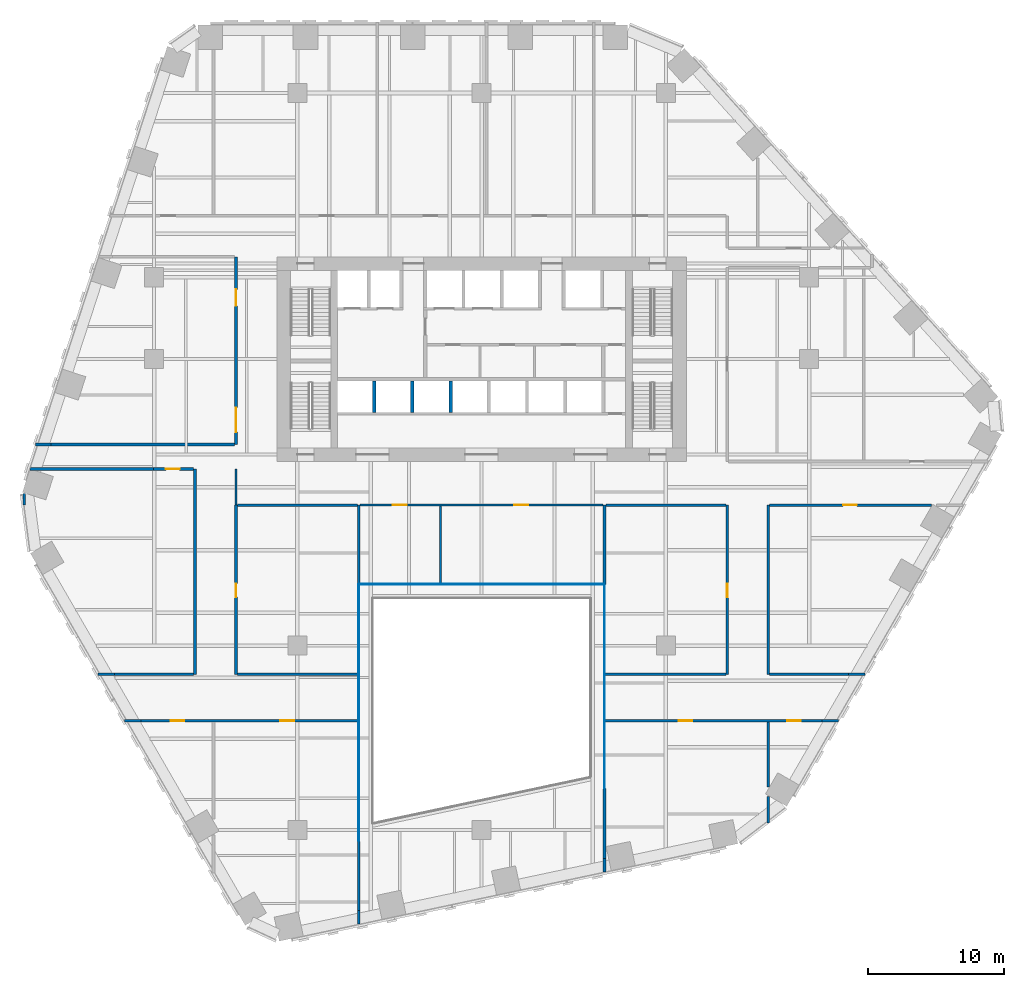
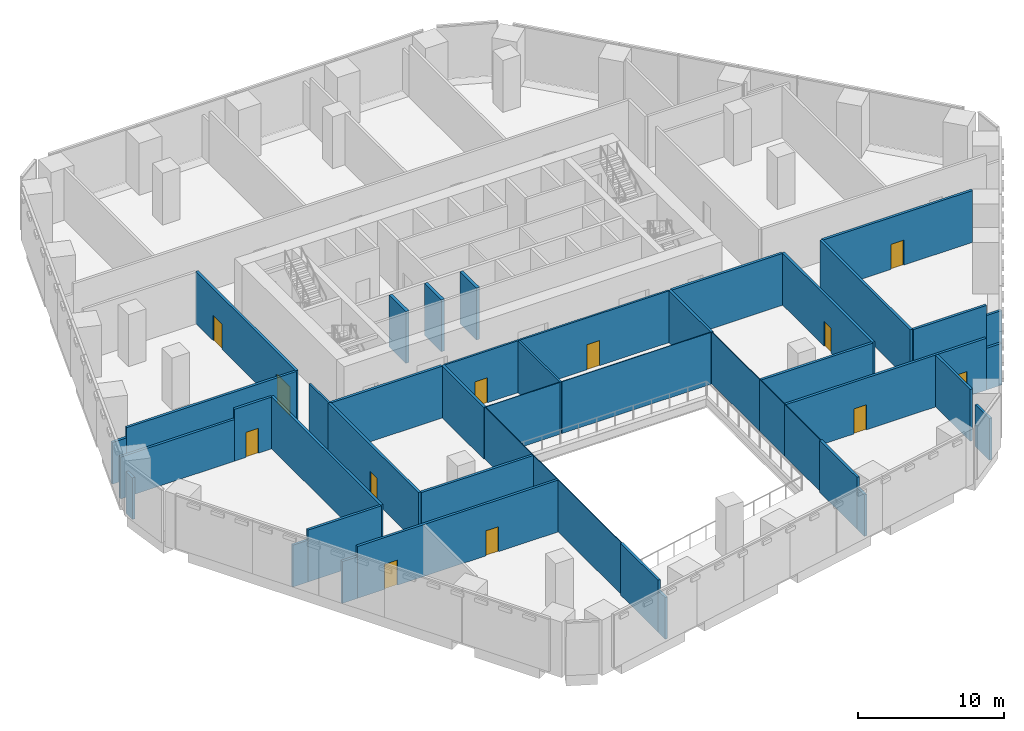
# One storey, part 14 of 19: 45 walls, 12 doors, 12 openings.
"""IFC4 building model written with IfcOpenShell, lengths in metres."""

from ifc_helpers import new_model, si_unit, direction, frame, frame_2d, origin, place, context, subcontext, project, spatial, rectangle, extrude, material, layer, layer_set, type_object, element, fill, save


model = new_model("IFC4")

# Units and contexts
model_context = context("Model", 3, precision=1e-05, world=origin(), true_north=direction((0.0, 1.0)))
body_context = subcontext(model_context, "Body", "Model", "MODEL_VIEW")
ifc_project = project(units=[si_unit("LENGTHUNIT", "METRE"), si_unit("AREAUNIT", "SQUARE_METRE"), si_unit("VOLUMEUNIT", "CUBIC_METRE"), si_unit("PLANEANGLEUNIT", "RADIAN"), si_unit("MASSUNIT", "GRAM", prefix="KILO")], contexts=[model_context])

# Site, building, storey
site_placement = place(None, origin())
site = spatial("IfcSite", under=ifc_project, at=site_placement, CompositionType="ELEMENT")
building_placement = place(site_placement, origin())
building = spatial("IfcBuilding", under=site, at=building_placement, Name="Isthmus Gate Tower", CompositionType="ELEMENT")
storey_placement = place(building_placement, frame((0.0, 0.0, 76.14990234375)))
storey = spatial("IfcBuildingStorey", under=building, at=storey_placement, Name="L17", CompositionType="ELEMENT", Elevation=76.14990234375)

# Wall
ifc_material_1 = material(Name="Concrete f'c 30 MPa", Category="concrete")
ifc_layer_1 = layer(ifc_material_1, 0.199951171875)
ifc_layer_set_1 = layer_set([ifc_layer_1], Name="Fire-rated block wall 200")
wall_type_1 = type_object("IfcWallType", Name="Fire-rated block wall 200", PredefinedType="PARTITIONING", material=ifc_layer_set_1)
wall_1_placement = place(storey_placement, frame((-26.15087890625, -19.0, 0.0), z_axis=(0.0, 0.0, 1.0), x_axis=(1.0, 0.0, 0.0)))
element("IfcWall", 1, at=wall_1_placement, inside=storey, type_object=wall_type_1, Name="Fire-rated wall", PredefinedType="PARTITIONING", context=body_context, shape_type="SweptSolid", body=[
    extrude(rectangle(XDim=1.20947265625, YDim=0.199951171875, at=frame_2d((0.604736328125, 0.0))), origin(), (0.0, 0.0, 1.0), 3.5),
])

# Wall, openings, doors
wall_2_placement = place(storey_placement, frame((-24.94140625, -19.0, 0.0), z_axis=(0.0, 0.0, 1.0), x_axis=(1.0, 0.0, 0.0)))
wall_2 = element("IfcWall", 2, at=wall_2_placement, inside=storey, type_object=wall_type_1, Name="Fire-rated wall", PredefinedType="PARTITIONING", context=body_context, shape_type="SweptSolid", body=[
    extrude(rectangle(XDim=15.911376953125, YDim=0.199951171875, at=frame_2d((7.95556640625, 0.0))), origin(), (0.0, 0.0, 1.0), 4.35009765625),
])
opening_1_placement = place(wall_2_placement, frame((2.14990234375, 0.0, 0.0)))
opening_1 = element("IfcOpeningElement", 3, at=opening_1_placement, cuts=wall_2, Name="Opening DP17-15", PredefinedType="OPENING", context=body_context, shape_type="SweptSolid", body=[
    extrude(rectangle(XDim=1.0, YDim=2.10009765625, at=frame_2d((0.5, 1.050048828125))), frame((0.0, 0.10986328125, 0.0), z_axis=(0.0, -1.0, 0.0), x_axis=(1.0, 0.0, 0.0)), (0.0, 0.0, 1.0), 0.219970703125),
])
opening_2_placement = place(wall_2_placement, frame((10.1953125, 0.0, 0.0)))
opening_2 = element("IfcOpeningElement", 4, at=opening_2_placement, cuts=wall_2, Name="Opening DP17-16", PredefinedType="OPENING", context=body_context, shape_type="SweptSolid", body=[
    extrude(rectangle(XDim=1.0, YDim=2.10009765625, at=frame_2d((0.5, 1.050048828125))), frame((0.0, 0.10986328125, 0.0), z_axis=(0.0, -1.0, 0.0), x_axis=(1.0, 0.0, 0.0)), (0.0, 0.0, 1.0), 0.219970703125),
])
ifc_material_2 = material(Name="Steel fire door with intumescent seals", Category="steel")
door_type_1 = type_object("IfcDoorType", Name="Fire door 1000 x 2100", OperationType="SINGLE_SWING_LEFT", PredefinedType="DOOR", material=ifc_material_2)
door_1_placement = place(opening_1_placement, origin())
door_1 = element("IfcDoor", 5, at=door_1_placement, inside=storey, type_object=door_type_1, Name="Door DP17-15", OperationType="SINGLE_SWING_LEFT", OverallHeight=2.10009765625, OverallWidth=1.0, PredefinedType="DOOR", context=body_context, shape_type="SweptSolid", body=[
    extrude(rectangle(XDim=1.0, YDim=2.10009765625, at=frame_2d((0.5, 1.050048828125))), frame((0.0, 0.02490234375, 0.0), z_axis=(0.0, -1.0, 0.0), x_axis=(1.0, 0.0, 0.0)), (0.0, 0.0, 1.0), 0.050048828125),
])
fill(opening_1, door_1)
door_2_placement = place(opening_2_placement, origin())
door_2 = element("IfcDoor", 6, at=door_2_placement, inside=storey, type_object=door_type_1, Name="Door DP17-16", OperationType="SINGLE_SWING_LEFT", OverallHeight=2.10009765625, OverallWidth=1.0, PredefinedType="DOOR", context=body_context, shape_type="SweptSolid", body=[
    extrude(rectangle(XDim=1.0, YDim=2.10009765625, at=frame_2d((0.5, 1.050048828125))), frame((0.0, 0.02490234375, 0.0), z_axis=(0.0, -1.0, 0.0), x_axis=(1.0, 0.0, 0.0)), (0.0, 0.0, 1.0), 0.050048828125),
])
fill(opening_2, door_2)

wall_3_placement = place(storey_placement, frame((9.030029296875, -19.0, 0.0), z_axis=(0.0, 0.0, 1.0), x_axis=(1.0, 0.0, 0.0)))
wall_3 = element("IfcWall", 7, at=wall_3_placement, inside=storey, type_object=wall_type_1, Name="Fire-rated wall", PredefinedType="PARTITIONING", context=body_context, shape_type="SweptSolid", body=[
    extrude(rectangle(XDim=15.911376953125, YDim=0.199951171875, at=frame_2d((7.95556640625, 0.0))), origin(), (0.0, 0.0, 1.0), 4.35009765625),
])
opening_3_placement = place(wall_3_placement, frame((5.39990234375, 0.0, 0.0)))
opening_3 = element("IfcOpeningElement", 8, at=opening_3_placement, cuts=wall_3, Name="Opening DP17-19", PredefinedType="OPENING", context=body_context, shape_type="SweptSolid", body=[
    extrude(rectangle(XDim=1.0, YDim=2.10009765625, at=frame_2d((0.5, 1.050048828125))), frame((0.0, 0.10986328125, 0.0), z_axis=(0.0, -1.0, 0.0), x_axis=(1.0, 0.0, 0.0)), (0.0, 0.0, 1.0), 0.219970703125),
])
opening_4_placement = place(wall_3_placement, frame((13.3701171875, 0.0, 0.0)))
opening_4 = element("IfcOpeningElement", 9, at=opening_4_placement, cuts=wall_3, Name="Opening DP17-20", PredefinedType="OPENING", context=body_context, shape_type="SweptSolid", body=[
    extrude(rectangle(XDim=1.0, YDim=2.10009765625, at=frame_2d((0.5, 1.050048828125))), frame((0.0, 0.10986328125, 0.0), z_axis=(0.0, -1.0, 0.0), x_axis=(1.0, 0.0, 0.0)), (0.0, 0.0, 1.0), 0.219970703125),
])
door_3_placement = place(opening_3_placement, origin())
door_3 = element("IfcDoor", 10, at=door_3_placement, inside=storey, type_object=door_type_1, Name="Door DP17-19", OperationType="SINGLE_SWING_LEFT", OverallHeight=2.10009765625, OverallWidth=1.0, PredefinedType="DOOR", context=body_context, shape_type="SweptSolid", body=[
    extrude(rectangle(XDim=1.0, YDim=2.10009765625, at=frame_2d((0.5, 1.050048828125))), frame((0.0, 0.02490234375, 0.0), z_axis=(0.0, -1.0, 0.0), x_axis=(1.0, 0.0, 0.0)), (0.0, 0.0, 1.0), 0.050048828125),
])
fill(opening_3, door_3)
door_4_placement = place(opening_4_placement, origin())
door_4 = element("IfcDoor", 11, at=door_4_placement, inside=storey, type_object=door_type_1, Name="Door DP17-20", OperationType="SINGLE_SWING_LEFT", OverallHeight=2.10009765625, OverallWidth=1.0, PredefinedType="DOOR", context=body_context, shape_type="SweptSolid", body=[
    extrude(rectangle(XDim=1.0, YDim=2.10009765625, at=frame_2d((0.5, 1.050048828125))), frame((0.0, 0.02490234375, 0.0), z_axis=(0.0, -1.0, 0.0), x_axis=(1.0, 0.0, 0.0)), (0.0, 0.0, 1.0), 0.050048828125),
])
fill(opening_4, door_4)

# Walls
wall_4_placement = place(storey_placement, frame((24.94140625, -19.0, 0.0), z_axis=(0.0, 0.0, 1.0), x_axis=(1.0, 0.0, 0.0)))
element("IfcWall", 12, at=wall_4_placement, inside=storey, type_object=wall_type_1, Name="Fire-rated wall", PredefinedType="PARTITIONING", context=body_context, shape_type="SweptSolid", body=[
    extrude(rectangle(XDim=1.20947265625, YDim=0.199951171875, at=frame_2d((0.604736328125, 0.0))), origin(), (0.0, 0.0, 1.0), 3.5),
])
wall_5_placement = place(storey_placement, frame((-28.11376953125, -15.60009765625, 0.0), z_axis=(0.0, 0.0, 1.0), x_axis=(1.0, 0.0, 0.0)))
element("IfcWall", 13, at=wall_5_placement, inside=storey, type_object=wall_type_1, Name="Fire-rated wall", PredefinedType="PARTITIONING", context=body_context, shape_type="SweptSolid", body=[
    extrude(rectangle(XDim=1.209228515625, YDim=0.199951171875, at=frame_2d((0.6044921875, 0.0))), origin(), (0.0, 0.0, 1.0), 3.5),
])
wall_6_placement = place(storey_placement, frame((-26.904541015625, -15.60009765625, 0.0), z_axis=(0.0, 0.0, 1.0), x_axis=(1.0, 0.0, 0.0)))
element("IfcWall", 14, at=wall_6_placement, inside=storey, type_object=wall_type_1, Name="Fire-rated wall", PredefinedType="PARTITIONING", context=body_context, shape_type="SweptSolid", body=[
    extrude(rectangle(XDim=5.804443359375, YDim=0.199951171875, at=frame_2d((2.90234375, 0.0))), origin(), (0.0, 0.0, 1.0), 4.35009765625),
])
for number, where, z_axis, x_axis, name in (
    (15, (-17.89990234375, -15.60009765625, 0.0), (0.0, 0.0, 1.0), (1.0, 0.0, 0.0), "Fire-rated wall"),
    (16, (9.030029296875, -15.60009765625, 0.0), (0.0, 0.0, 1.0), (1.0, 0.0, 0.0), "Fire-rated wall"),
):
    element("IfcWall", number, at=place(storey_placement, frame(where, z_axis=z_axis, x_axis=x_axis)), inside=storey, type_object=wall_type_1, Name=name, PredefinedType="PARTITIONING", context=body_context, shape_type="SweptSolid", body=[
        extrude(rectangle(XDim=8.869873046875, YDim=0.199951171875, at=frame_2d((4.43505859375, 0.0))), origin(), (0.0, 0.0, 1.0), 4.35009765625),
    ])
wall_7_placement = place(storey_placement, frame((21.10009765625, -15.60009765625, 0.0), z_axis=(0.0, 0.0, 1.0), x_axis=(1.0, 0.0, 0.0)))
element("IfcWall", 17, at=wall_7_placement, inside=storey, type_object=wall_type_1, Name="Fire-rated wall", PredefinedType="PARTITIONING", context=body_context, shape_type="SweptSolid", body=[
    extrude(rectangle(XDim=5.804443359375, YDim=0.199951171875, at=frame_2d((2.90234375, 0.0))), origin(), (0.0, 0.0, 1.0), 4.35009765625),
])
wall_8_placement = place(storey_placement, frame((26.904541015625, -15.60009765625, 0.0), z_axis=(0.0, 0.0, 1.0), x_axis=(1.0, 0.0, 0.0)))
element("IfcWall", 18, at=wall_8_placement, inside=storey, type_object=wall_type_1, Name="Fire-rated wall", PredefinedType="PARTITIONING", context=body_context, shape_type="SweptSolid", body=[
    extrude(rectangle(XDim=1.209228515625, YDim=0.199951171875, at=frame_2d((0.6044921875, 0.0))), origin(), (0.0, 0.0, 1.0), 3.5),
])
for number, where, z_axis, x_axis, name in (
    (19, (-17.89990234375, -3.199951171875, 0.0), (0.0, 0.0, 1.0), (1.0, 0.0, 0.0), "Fire-rated wall"),
    (20, (9.10009765625, -3.199951171875, 0.0), (0.0, 0.0, 1.0), (1.0, 0.0, 0.0), "Fire-rated wall"),
):
    element("IfcWall", number, at=place(storey_placement, frame(where, z_axis=z_axis, x_axis=x_axis)), inside=storey, type_object=wall_type_1, Name=name, PredefinedType="PARTITIONING", context=body_context, shape_type="SweptSolid", body=[
        extrude(rectangle(XDim=8.7998046875, YDim=0.199951171875, at=frame_2d((4.39990234375, 0.0))), origin(), (0.0, 0.0, 1.0), 4.35009765625),
    ])

# Wall, opening, door
wall_9_placement = place(storey_placement, frame((21.10009765625, -3.199951171875, 0.0), z_axis=(0.0, 0.0, 1.0), x_axis=(1.0, 0.0, 0.0)))
wall_9 = element("IfcWall", 21, at=wall_9_placement, inside=storey, type_object=wall_type_1, Name="Fire-rated wall", PredefinedType="PARTITIONING", context=body_context, shape_type="SweptSolid", body=[
    extrude(rectangle(XDim=11.86669921875, YDim=0.199951171875, at=frame_2d((5.933349609375, 0.0))), origin(), (0.0, 0.0, 1.0), 4.35009765625),
])
opening_5_placement = place(wall_9_placement, frame((5.39990234375, 0.0, 0.0)))
opening_5 = element("IfcOpeningElement", 22, at=opening_5_placement, cuts=wall_9, Name="Opening DP17-18", PredefinedType="OPENING", context=body_context, shape_type="SweptSolid", body=[
    extrude(rectangle(XDim=1.0, YDim=2.10009765625, at=frame_2d((0.5, 1.050048828125))), frame((0.0, 0.10986328125, 0.0), z_axis=(0.0, -1.0, 0.0), x_axis=(1.0, 0.0, 0.0)), (0.0, 0.0, 1.0), 0.219970703125),
])
door_5_placement = place(opening_5_placement, origin())
door_5 = element("IfcDoor", 23, at=door_5_placement, inside=storey, type_object=door_type_1, Name="Door DP17-18", OperationType="SINGLE_SWING_LEFT", OverallHeight=2.10009765625, OverallWidth=1.0, PredefinedType="DOOR", context=body_context, shape_type="SweptSolid", body=[
    extrude(rectangle(XDim=1.0, YDim=2.10009765625, at=frame_2d((0.5, 1.050048828125))), frame((0.0, 0.02490234375, 0.0), z_axis=(0.0, -1.0, 0.0), x_axis=(1.0, 0.0, 0.0)), (0.0, 0.0, 1.0), 0.050048828125),
])
fill(opening_5, door_5)

# Wall
wall_10_placement = place(storey_placement, frame((-33.08984375, -0.549072265625, 0.0), z_axis=(0.0, 0.0, 1.0), x_axis=(1.0, 0.0, 0.0)))
element("IfcWall", 24, at=wall_10_placement, inside=storey, type_object=wall_type_1, Name="Fire-rated wall", PredefinedType="PARTITIONING", context=body_context, shape_type="SweptSolid", body=[
    extrude(rectangle(XDim=9.056640625, YDim=0.199951171875, at=frame_2d((4.5283203125, 0.0))), origin(), (0.0, 0.0, 1.0), 3.5),
])

# Wall, opening, door
wall_11_placement = place(storey_placement, frame((-24.033203125, -0.549072265625, 0.0), z_axis=(0.0, 0.0, 1.0), x_axis=(1.0, 0.0, 0.0)))
wall_11 = element("IfcWall", 25, at=wall_11_placement, inside=storey, type_object=wall_type_1, Name="Fire-rated wall", PredefinedType="PARTITIONING", context=body_context, shape_type="SweptSolid", body=[
    extrude(rectangle(XDim=2.93310546875, YDim=0.199951171875, at=frame_2d((1.466552734375, 0.0))), origin(), (0.0, 0.0, 1.0), 4.35009765625),
])
opening_6_placement = place(wall_11_placement, frame((0.89990234375, 0.0, 0.0)))
opening_6 = element("IfcOpeningElement", 26, at=opening_6_placement, cuts=wall_11, Name="Opening DP17-13", PredefinedType="OPENING", context=body_context, shape_type="SweptSolid", body=[
    extrude(rectangle(XDim=1.0, YDim=2.10009765625, at=frame_2d((0.5, 1.050048828125))), frame((0.0, 0.10986328125, 0.0), z_axis=(0.0, -1.0, 0.0), x_axis=(1.0, 0.0, 0.0)), (0.0, 0.0, 1.0), 0.219970703125),
])
door_6_placement = place(opening_6_placement, origin())
door_6 = element("IfcDoor", 27, at=door_6_placement, inside=storey, type_object=door_type_1, Name="Door DP17-13", OperationType="SINGLE_SWING_LEFT", OverallHeight=2.10009765625, OverallWidth=1.0, PredefinedType="DOOR", context=body_context, shape_type="SweptSolid", body=[
    extrude(rectangle(XDim=1.0, YDim=2.10009765625, at=frame_2d((0.5, 1.050048828125))), frame((0.0, 0.02490234375, 0.0), z_axis=(0.0, -1.0, 0.0), x_axis=(1.0, 0.0, 0.0)), (0.0, 0.0, 1.0), 0.050048828125),
])
fill(opening_6, door_6)

# Walls
wall_12_placement = place(storey_placement, frame((-32.675048828125, 1.2509765625, 0.0), z_axis=(0.0, 0.0, 1.0), x_axis=(1.0, 0.0, 0.0)))
element("IfcWall", 28, at=wall_12_placement, inside=storey, type_object=wall_type_1, Name="Fire-rated wall", PredefinedType="PARTITIONING", context=body_context, shape_type="SweptSolid", body=[
    extrude(rectangle(XDim=1.116455078125, YDim=0.199951171875, at=frame_2d((0.55810546875, 0.0))), origin(), (0.0, 0.0, 1.0), 3.5),
])
wall_13_placement = place(storey_placement, frame((-31.55859375, 1.2509765625, 0.0), z_axis=(0.0, 0.0, 1.0), x_axis=(1.0, 0.0, 0.0)))
element("IfcWall", 29, at=wall_13_placement, inside=storey, type_object=wall_type_1, Name="Fire-rated wall", PredefinedType="PARTITIONING", context=body_context, shape_type="SweptSolid", body=[
    extrude(rectangle(XDim=13.45849609375, YDim=0.199951171875, at=frame_2d((6.729248046875, 0.0))), origin(), (0.0, 0.0, 1.0), 4.35009765625),
])
wall_14_placement = place(storey_placement, frame((-33.52392578125, -3.198486328125, 0.0), z_axis=(0.0, 0.0, 1.0), x_axis=(0.0, 1.0, 0.0)))
element("IfcWall", 30, at=wall_14_placement, inside=storey, type_object=wall_type_1, Name="Fire-rated wall", PredefinedType="PARTITIONING", context=body_context, shape_type="SweptSolid", body=[
    extrude(rectangle(XDim=0.865478515625, YDim=0.199951171875, at=frame_2d((0.4326171875, 0.0))), origin(), (0.0, 0.0, 1.0), 3.5),
])
wall_15_placement = place(storey_placement, frame((-21.0, -15.60009765625, 0.0), z_axis=(0.0, 0.0, 1.0), x_axis=(0.0, 1.0, 0.0)))
element("IfcWall", 31, at=wall_15_placement, inside=storey, type_object=wall_type_1, Name="Fire-rated wall", PredefinedType="PARTITIONING", context=body_context, shape_type="SweptSolid", body=[
    extrude(rectangle(XDim=15.05126953125, YDim=0.199951171875, at=frame_2d((7.525634765625, 0.0))), origin(), (0.0, 0.0, 1.0), 4.35009765625),
])

# Wall, opening, door
wall_16_placement = place(storey_placement, frame((-18.0, -15.60009765625, 0.0), z_axis=(0.0, 0.0, 1.0), x_axis=(0.0, 1.0, 0.0)))
wall_16 = element("IfcWall", 32, at=wall_16_placement, inside=storey, type_object=wall_type_1, Name="Fire-rated wall", PredefinedType="PARTITIONING", context=body_context, shape_type="SweptSolid", body=[
    extrude(rectangle(XDim=12.400146484375, YDim=0.199951171875, at=frame_2d((6.2001953125, 0.0))), origin(), (0.0, 0.0, 1.0), 4.35009765625),
])
opening_7_placement = place(wall_16_placement, frame((5.64990234375, 0.0, 0.0)))
opening_7 = element("IfcOpeningElement", 33, at=opening_7_placement, cuts=wall_16, Name="Opening DP17-14", PredefinedType="OPENING", context=body_context, shape_type="SweptSolid", body=[
    extrude(rectangle(XDim=1.0, YDim=2.10009765625, at=frame_2d((0.5, 1.050048828125))), frame((0.0, 0.10986328125, 0.0), z_axis=(0.0, -1.0, 0.0), x_axis=(1.0, 0.0, 0.0)), (0.0, 0.0, 1.0), 0.219970703125),
])
door_7_placement = place(opening_7_placement, origin())
door_7 = element("IfcDoor", 34, at=door_7_placement, inside=storey, type_object=door_type_1, Name="Door DP17-14", OperationType="SINGLE_SWING_LEFT", OverallHeight=2.10009765625, OverallWidth=1.0, PredefinedType="DOOR", context=body_context, shape_type="SweptSolid", body=[
    extrude(rectangle(XDim=1.0, YDim=2.10009765625, at=frame_2d((0.5, 1.050048828125))), frame((0.0, 0.02490234375, 0.0), z_axis=(0.0, -1.0, 0.0), x_axis=(1.0, 0.0, 0.0)), (0.0, 0.0, 1.0), 0.050048828125),
])
fill(opening_7, door_7)

# Wall, openings, doors
wall_17_placement = place(storey_placement, frame((-18.0, 1.251220703125, 0.0), z_axis=(0.0, 0.0, 1.0), x_axis=(0.0, 1.0, 0.0)))
wall_17 = element("IfcWall", 35, at=wall_17_placement, inside=storey, type_object=wall_type_1, Name="Fire-rated wall", PredefinedType="PARTITIONING", context=body_context, shape_type="SweptSolid", body=[
    extrude(rectangle(XDim=13.748779296875, YDim=0.199951171875, at=frame_2d((6.87451171875, 0.0))), origin(), (0.0, 0.0, 1.0), 4.35009765625),
])
opening_8_placement = place(wall_17_placement, frame((0.89990234375, 0.0, 0.0)))
opening_8 = element("IfcOpeningElement", 36, at=opening_8_placement, cuts=wall_17, Name="Opening DP17-01", PredefinedType="OPENING", context=body_context, shape_type="SweptSolid", body=[
    extrude(rectangle(XDim=1.800048828125, YDim=2.39990234375, at=frame_2d((0.89990234375, 1.199951171875))), frame((0.0, 0.10986328125, 0.0), z_axis=(0.0, -1.0, 0.0), x_axis=(1.0, 0.0, 0.0)), (0.0, 0.0, 1.0), 0.219970703125),
])
opening_9_placement = place(wall_17_placement, frame((10.14990234375, 0.0, 0.0)))
opening_9 = element("IfcOpeningElement", 37, at=opening_9_placement, cuts=wall_17, Name="Opening DP17-02", PredefinedType="OPENING", context=body_context, shape_type="SweptSolid", body=[
    extrude(rectangle(XDim=1.199951171875, YDim=2.10009765625, at=frame_2d((0.60009765625, 1.050048828125))), frame((0.0, 0.10986328125, 0.0), z_axis=(0.0, -1.0, 0.0), x_axis=(1.0, 0.0, 0.0)), (0.0, 0.0, 1.0), 0.219970703125),
])
ifc_material_3 = material(Name="Steel fire door with intumescent seals", Category="steel")
door_type_2 = type_object("IfcDoorType", Name="Fire door 1200 x 2100", OperationType="SINGLE_SWING_LEFT", PredefinedType="DOOR", material=ifc_material_3)
door_8_placement = place(opening_9_placement, origin())
door_8 = element("IfcDoor", 38, at=door_8_placement, inside=storey, type_object=door_type_2, Name="Door DP17-02", OperationType="SINGLE_SWING_LEFT", OverallHeight=2.10009765625, OverallWidth=1.199951171875, PredefinedType="DOOR", context=body_context, shape_type="SweptSolid", body=[
    extrude(rectangle(XDim=1.199951171875, YDim=2.10009765625, at=frame_2d((0.60009765625, 1.050048828125))), frame((0.0, 0.02490234375, 0.0), z_axis=(0.0, -1.0, 0.0), x_axis=(1.0, 0.0, 0.0)), (0.0, 0.0, 1.0), 0.050048828125),
])
fill(opening_9, door_8)
ifc_material_4 = material(Name="Steel fire door with intumescent seals", Category="steel")
door_type_3 = type_object("IfcDoorType", Name="Fire door 1800 x 2400", OperationType="SINGLE_SWING_LEFT", PredefinedType="DOOR", material=ifc_material_4)
door_9_placement = place(opening_8_placement, origin())
door_9 = element("IfcDoor", 39, at=door_9_placement, inside=storey, type_object=door_type_3, Name="Door DP17-01", OperationType="SINGLE_SWING_LEFT", OverallHeight=2.39990234375, OverallWidth=1.800048828125, PredefinedType="DOOR", context=body_context, shape_type="SweptSolid", body=[
    extrude(rectangle(XDim=1.800048828125, YDim=2.39990234375, at=frame_2d((0.89990234375, 1.199951171875))), frame((0.0, 0.02490234375, 0.0), z_axis=(0.0, -1.0, 0.0), x_axis=(1.0, 0.0, 0.0)), (0.0, 0.0, 1.0), 0.050048828125),
])
fill(opening_8, door_9)

# Walls
wall_18_placement = place(storey_placement, frame((-9.0, -33.9130859375, 0.0), z_axis=(0.0, 0.0, 1.0), x_axis=(0.0, 1.0, 0.0)))
element("IfcWall", 40, at=wall_18_placement, inside=storey, type_object=wall_type_1, Name="Fire-rated wall", PredefinedType="PARTITIONING", context=body_context, shape_type="SweptSolid", body=[
    extrude(rectangle(XDim=1.0, YDim=0.199951171875, at=frame_2d((0.5, 0.0))), origin(), (0.0, 0.0, 1.0), 3.5),
])
wall_19_placement = place(storey_placement, frame((-9.0, -32.9130859375, 0.0), z_axis=(0.0, 0.0, 1.0), x_axis=(0.0, 1.0, 0.0)))
element("IfcWall", 41, at=wall_19_placement, inside=storey, type_object=wall_type_1, Name="Fire-rated wall", PredefinedType="PARTITIONING", context=body_context, shape_type="SweptSolid", body=[
    extrude(rectangle(XDim=5.134033203125, YDim=0.199951171875, at=frame_2d((2.56689453125, 0.0))), origin(), (0.0, 0.0, 1.0), 4.35009765625),
])
wall_20_placement = place(storey_placement, frame((-9.0, -9.0, 0.0), z_axis=(0.0, 0.0, 1.0), x_axis=(0.0, 1.0, 0.0)))
element("IfcWall", 42, at=wall_20_placement, inside=storey, type_object=wall_type_1, Name="Fire-rated wall", PredefinedType="PARTITIONING", context=body_context, shape_type="SweptSolid", body=[
    extrude(rectangle(XDim=5.800048828125, YDim=0.199951171875, at=frame_2d((2.89990234375, 0.0))), origin(), (0.0, 0.0, 1.0), 4.35009765625),
])
wall_21_placement = place(storey_placement, frame((9.0, -30.0869140625, 0.0), z_axis=(0.0, 0.0, 1.0), x_axis=(0.0, 1.0, 0.0)))
element("IfcWall", 43, at=wall_21_placement, inside=storey, type_object=wall_type_1, Name="Fire-rated wall", PredefinedType="PARTITIONING", context=body_context, shape_type="SweptSolid", body=[
    extrude(rectangle(XDim=1.0, YDim=0.199951171875, at=frame_2d((0.5, 0.0))), origin(), (0.0, 0.0, 1.0), 3.5),
])
wall_22_placement = place(storey_placement, frame((9.0, -29.0869140625, 0.0), z_axis=(0.0, 0.0, 1.0), x_axis=(0.0, 1.0, 0.0)))
element("IfcWall", 44, at=wall_22_placement, inside=storey, type_object=wall_type_1, Name="Fire-rated wall", PredefinedType="PARTITIONING", context=body_context, shape_type="SweptSolid", body=[
    extrude(rectangle(XDim=5.134033203125, YDim=0.199951171875, at=frame_2d((2.56689453125, 0.0))), origin(), (0.0, 0.0, 1.0), 4.35009765625),
])
wall_23_placement = place(storey_placement, frame((9.0, -9.0, 0.0), z_axis=(0.0, 0.0, 1.0), x_axis=(0.0, 1.0, 0.0)))
element("IfcWall", 45, at=wall_23_placement, inside=storey, type_object=wall_type_1, Name="Fire-rated wall", PredefinedType="PARTITIONING", context=body_context, shape_type="SweptSolid", body=[
    extrude(rectangle(XDim=5.800048828125, YDim=0.199951171875, at=frame_2d((2.89990234375, 0.0))), origin(), (0.0, 0.0, 1.0), 4.35009765625),
])

# Wall, opening, door
wall_24_placement = place(storey_placement, frame((18.0, -15.60009765625, 0.0), z_axis=(0.0, 0.0, 1.0), x_axis=(0.0, 1.0, 0.0)))
wall_24 = element("IfcWall", 46, at=wall_24_placement, inside=storey, type_object=wall_type_1, Name="Fire-rated wall", PredefinedType="PARTITIONING", context=body_context, shape_type="SweptSolid", body=[
    extrude(rectangle(XDim=12.400146484375, YDim=0.199951171875, at=frame_2d((6.2001953125, 0.0))), origin(), (0.0, 0.0, 1.0), 4.35009765625),
])
opening_10_placement = place(wall_24_placement, frame((5.64990234375, 0.0, 0.0)))
opening_10 = element("IfcOpeningElement", 47, at=opening_10_placement, cuts=wall_24, Name="Opening DP17-17", PredefinedType="OPENING", context=body_context, shape_type="SweptSolid", body=[
    extrude(rectangle(XDim=1.0, YDim=2.10009765625, at=frame_2d((0.5, 1.050048828125))), frame((0.0, 0.10986328125, 0.0), z_axis=(0.0, -1.0, 0.0), x_axis=(1.0, 0.0, 0.0)), (0.0, 0.0, 1.0), 0.219970703125),
])
door_10_placement = place(opening_10_placement, origin())
door_10 = element("IfcDoor", 48, at=door_10_placement, inside=storey, type_object=door_type_1, Name="Door DP17-17", OperationType="SINGLE_SWING_LEFT", OverallHeight=2.10009765625, OverallWidth=1.0, PredefinedType="DOOR", context=body_context, shape_type="SweptSolid", body=[
    extrude(rectangle(XDim=1.0, YDim=2.10009765625, at=frame_2d((0.5, 1.050048828125))), frame((0.0, 0.02490234375, 0.0), z_axis=(0.0, -1.0, 0.0), x_axis=(1.0, 0.0, 0.0)), (0.0, 0.0, 1.0), 0.050048828125),
])
fill(opening_10, door_10)

# Walls
wall_25_placement = place(storey_placement, frame((21.0, -26.47998046875, 0.0), z_axis=(0.0, 0.0, 1.0), x_axis=(0.0, 1.0, 0.0)))
element("IfcWall", 49, at=wall_25_placement, inside=storey, type_object=wall_type_1, Name="Fire-rated wall", PredefinedType="PARTITIONING", context=body_context, shape_type="SweptSolid", body=[
    extrude(rectangle(XDim=1.9404296875, YDim=0.199951171875, at=frame_2d((0.97021484375, 0.0))), origin(), (0.0, 0.0, 1.0), 3.5),
])
wall_26_placement = place(storey_placement, frame((21.0, -23.853759765625, 0.0), z_axis=(0.0, 0.0, 1.0), x_axis=(0.0, 1.0, 0.0)))
element("IfcWall", 50, at=wall_26_placement, inside=storey, type_object=wall_type_1, Name="Fire-rated wall", PredefinedType="PARTITIONING", context=body_context, shape_type="SweptSolid", body=[
    extrude(rectangle(XDim=4.753662109375, YDim=0.199951171875, at=frame_2d((2.376953125, 0.0))), origin(), (0.0, 0.0, 1.0), 4.35009765625),
])
wall_27_placement = place(storey_placement, frame((21.0, -15.60009765625, 0.0), z_axis=(0.0, 0.0, 1.0), x_axis=(0.0, 1.0, 0.0)))
element("IfcWall", 51, at=wall_27_placement, inside=storey, type_object=wall_type_1, Name="Fire-rated wall", PredefinedType="PARTITIONING", context=body_context, shape_type="SweptSolid", body=[
    extrude(rectangle(XDim=12.400146484375, YDim=0.199951171875, at=frame_2d((6.2001953125, 0.0))), origin(), (0.0, 0.0, 1.0), 4.35009765625),
])
ifc_material_5 = material(Name="Fire-rated laminated glass in steel frame", Category="steel")
ifc_layer_2 = layer(ifc_material_5, 0.06005859375)
ifc_layer_set_2 = layer_set([ifc_layer_2], Name="Fire-rated glazed atrium screen 60")
wall_type_2 = type_object("IfcWallType", Name="Fire-rated glazed atrium screen 60", PredefinedType="PARTITIONING", material=ifc_layer_set_2)
wall_28_placement = place(storey_placement, frame((-8.89990234375, -9.0, 0.0), z_axis=(0.0, 0.0, 1.0), x_axis=(1.0, 0.0, 0.0)))
element("IfcWall", 52, at=wall_28_placement, inside=storey, type_object=wall_type_2, Name="Atrium screen", PredefinedType="PARTITIONING", context=body_context, shape_type="SweptSolid", body=[
    extrude(rectangle(XDim=5.824951171875, YDim=0.06005859375, at=frame_2d((2.91259765625, 0.0))), origin(), (0.0, 0.0, 1.0), 4.35009765625),
])
wall_29_placement = place(storey_placement, frame((-2.925048828125, -9.0, 0.0), z_axis=(0.0, 0.0, 1.0), x_axis=(1.0, 0.0, 0.0)))
element("IfcWall", 53, at=wall_29_placement, inside=storey, type_object=wall_type_2, Name="Atrium screen", PredefinedType="PARTITIONING", context=body_context, shape_type="SweptSolid", body=[
    extrude(rectangle(XDim=11.824951171875, YDim=0.06005859375, at=frame_2d((5.91259765625, 0.0))), origin(), (0.0, 0.0, 1.0), 4.35009765625),
])
wall_30_placement = place(storey_placement, frame((-9.0, -27.779052734375, 0.0), z_axis=(0.0, 0.0, 1.0), x_axis=(0.0, 1.0, 0.0)))
element("IfcWall", 54, at=wall_30_placement, inside=storey, type_object=wall_type_2, Name="Atrium screen", PredefinedType="PARTITIONING", context=body_context, shape_type="SweptSolid", body=[
    extrude(rectangle(XDim=8.778076171875, YDim=0.06005859375, at=frame_2d((4.38916015625, 0.0))), origin(), (0.0, 0.0, 1.0), 4.35009765625),
])
wall_31_placement = place(storey_placement, frame((-9.0, -18.9990234375, 0.0), z_axis=(0.0, 0.0, 1.0), x_axis=(0.0, 1.0, 0.0)))
element("IfcWall", 55, at=wall_31_placement, inside=storey, type_object=wall_type_2, Name="Atrium screen", PredefinedType="PARTITIONING", context=body_context, shape_type="SweptSolid", body=[
    extrude(rectangle(XDim=3.39794921875, YDim=0.06005859375, at=frame_2d((1.698974609375, 0.0))), origin(), (0.0, 0.0, 1.0), 4.35009765625),
])
wall_32_placement = place(storey_placement, frame((-9.0, -15.59912109375, 0.0), z_axis=(0.0, 0.0, 1.0), x_axis=(0.0, 1.0, 0.0)))
element("IfcWall", 56, at=wall_32_placement, inside=storey, type_object=wall_type_2, Name="Atrium screen", PredefinedType="PARTITIONING", context=body_context, shape_type="SweptSolid", body=[
    extrude(rectangle(XDim=6.59814453125, YDim=0.06005859375, at=frame_2d((3.299072265625, 0.0))), origin(), (0.0, 0.0, 1.0), 4.35009765625),
])
wall_33_placement = place(storey_placement, frame((9.0, -23.952880859375, 0.0), z_axis=(0.0, 0.0, 1.0), x_axis=(0.0, 1.0, 0.0)))
element("IfcWall", 57, at=wall_33_placement, inside=storey, type_object=wall_type_2, Name="Atrium screen", PredefinedType="PARTITIONING", context=body_context, shape_type="SweptSolid", body=[
    extrude(rectangle(XDim=4.951904296875, YDim=0.06005859375, at=frame_2d((2.47607421875, 0.0))), origin(), (0.0, 0.0, 1.0), 4.35009765625),
])
wall_34_placement = place(storey_placement, frame((9.0, -18.9990234375, 0.0), z_axis=(0.0, 0.0, 1.0), x_axis=(0.0, 1.0, 0.0)))
element("IfcWall", 58, at=wall_34_placement, inside=storey, type_object=wall_type_2, Name="Atrium screen", PredefinedType="PARTITIONING", context=body_context, shape_type="SweptSolid", body=[
    extrude(rectangle(XDim=3.39794921875, YDim=0.06005859375, at=frame_2d((1.698974609375, 0.0))), origin(), (0.0, 0.0, 1.0), 4.35009765625),
])
wall_35_placement = place(storey_placement, frame((9.0, -15.59912109375, 0.0), z_axis=(0.0, 0.0, 1.0), x_axis=(0.0, 1.0, 0.0)))
element("IfcWall", 59, at=wall_35_placement, inside=storey, type_object=wall_type_2, Name="Atrium screen", PredefinedType="PARTITIONING", context=body_context, shape_type="SweptSolid", body=[
    extrude(rectangle(XDim=6.59814453125, YDim=0.06005859375, at=frame_2d((3.299072265625, 0.0))), origin(), (0.0, 0.0, 1.0), 4.35009765625),
])
ifc_material_6 = material(Name="Fire-rated gypsum board on steel studs", Category="steel")
ifc_layer_3 = layer(ifc_material_6, 0.14990234375)
ifc_layer_set_3 = layer_set([ifc_layer_3], Name="Fire-rated partition 150 EI 60")
wall_type_3 = type_object("IfcWallType", Name="Fire-rated partition 150 EI 60", PredefinedType="PARTITIONING", material=ifc_layer_set_3)
wall_36_placement = place(storey_placement, frame((-18.0, -3.199951171875, 0.0), z_axis=(0.0, 0.0, 1.0), x_axis=(0.0, 1.0, 0.0)))
element("IfcWall", 60, at=wall_36_placement, inside=storey, type_object=wall_type_3, Name="Fire-rated partition", PredefinedType="PARTITIONING", context=body_context, shape_type="SweptSolid", body=[
    extrude(rectangle(XDim=2.651123046875, YDim=0.14990234375, at=frame_2d((1.32568359375, 0.0))), origin(), (0.0, 0.0, 1.0), 4.35009765625),
])

# Wall, openings, doors
ifc_material_7 = material(Name="Gypsum board on cold-formed steel studs", Category="steel")
ifc_layer_4 = layer(ifc_material_7, 0.14990234375)
ifc_layer_set_4 = layer_set([ifc_layer_4])
wall_type_4 = type_object("IfcWallType", Name="Partition 150 gypsum board on steel studs", PredefinedType="PARTITIONING", material=ifc_layer_set_4)
wall_37_placement = place(storey_placement, frame((-8.89990234375, -3.199951171875, 0.0), z_axis=(0.0, 0.0, 1.0), x_axis=(1.0, 0.0, 0.0)))
wall_37 = element("IfcWall", 61, at=wall_37_placement, inside=storey, type_object=wall_type_4, Name="Partition", PredefinedType="PARTITIONING", context=body_context, shape_type="SweptSolid", body=[
    extrude(rectangle(XDim=17.7998046875, YDim=0.14990234375, at=frame_2d((8.89990234375, 0.0))), origin(), (0.0, 0.0, 1.0), 4.35009765625),
])
opening_11_placement = place(wall_37_placement, frame((2.39990234375, 0.0, 0.0)))
opening_11 = element("IfcOpeningElement", 62, at=opening_11_placement, cuts=wall_37, Name="Opening DP17-11", PredefinedType="OPENING", context=body_context, shape_type="SweptSolid", body=[
    extrude(rectangle(XDim=1.0, YDim=2.10009765625, at=frame_2d((0.5, 1.050048828125))), frame((0.0, 0.0849609375, 0.0), z_axis=(0.0, -1.0, 0.0), x_axis=(1.0, 0.0, 0.0)), (0.0, 0.0, 1.0), 0.169921875),
])
opening_12_placement = place(wall_37_placement, frame((11.300048828125, 0.0, 0.0)))
opening_12 = element("IfcOpeningElement", 63, at=opening_12_placement, cuts=wall_37, Name="Opening DP17-12", PredefinedType="OPENING", context=body_context, shape_type="SweptSolid", body=[
    extrude(rectangle(XDim=1.0, YDim=2.10009765625, at=frame_2d((0.5, 1.050048828125))), frame((0.0, 0.0849609375, 0.0), z_axis=(0.0, -1.0, 0.0), x_axis=(1.0, 0.0, 0.0)), (0.0, 0.0, 1.0), 0.169921875),
])
ifc_material_8 = material(Name="Hollow metal frame with solid-core timber leaf", Category="wood")
door_type_4 = type_object("IfcDoorType", Name="Single swing door 1000 x 2100", OperationType="SINGLE_SWING_LEFT", PredefinedType="DOOR", material=ifc_material_8)
door_11_placement = place(opening_11_placement, origin())
door_11 = element("IfcDoor", 64, at=door_11_placement, inside=storey, type_object=door_type_4, Name="Door DP17-11", OperationType="SINGLE_SWING_LEFT", OverallHeight=2.10009765625, OverallWidth=1.0, PredefinedType="DOOR", context=body_context, shape_type="SweptSolid", body=[
    extrude(rectangle(XDim=1.0, YDim=2.10009765625, at=frame_2d((0.5, 1.050048828125))), frame((0.0, 0.02490234375, 0.0), z_axis=(0.0, -1.0, 0.0), x_axis=(1.0, 0.0, 0.0)), (0.0, 0.0, 1.0), 0.050048828125),
])
fill(opening_11, door_11)
door_12_placement = place(opening_12_placement, origin())
door_12 = element("IfcDoor", 65, at=door_12_placement, inside=storey, type_object=door_type_4, Name="Door DP17-12", OperationType="SINGLE_SWING_LEFT", OverallHeight=2.10009765625, OverallWidth=1.0, PredefinedType="DOOR", context=body_context, shape_type="SweptSolid", body=[
    extrude(rectangle(XDim=1.0, YDim=2.10009765625, at=frame_2d((0.5, 1.050048828125))), frame((0.0, 0.02490234375, 0.0), z_axis=(0.0, -1.0, 0.0), x_axis=(1.0, 0.0, 0.0)), (0.0, 0.0, 1.0), 0.050048828125),
])
fill(opening_12, door_12)

# Walls
wall_38_placement = place(storey_placement, frame((-3.0, -9.0, 0.0), z_axis=(0.0, 0.0, 1.0), x_axis=(0.0, 1.0, 0.0)))
element("IfcWall", 66, at=wall_38_placement, inside=storey, type_object=wall_type_4, Name="Partition", PredefinedType="PARTITIONING", context=body_context, shape_type="SweptSolid", body=[
    extrude(rectangle(XDim=5.72509765625, YDim=0.14990234375, at=frame_2d((2.862548828125, 0.0))), origin(), (0.0, 0.0, 1.0), 4.35009765625),
])
ifc_material_9 = material(Name="Fire-rated blockwork masonry, 15 MPa", Category="masonry")
ifc_layer_5 = layer(ifc_material_9, 0.25)
ifc_layer_set_5 = layer_set([ifc_layer_5], Name="SHAFT WALL 250 120 MIN")
wall_type_5 = type_object("IfcWallType", Name="SHAFT WALL 250 120 MIN", PredefinedType="PARTITIONING", material=ifc_layer_set_5)
for number, where, z_axis, x_axis, name in (
    (67, (-7.875, 3.60009765625, 0.0), (0.0, 0.0, 1.0), (0.0, 1.0, 0.0), "L17 SHAFT WALL 250 120 MIN"),
    (68, (-5.074951171875, 3.60009765625, 0.0), (0.0, 0.0, 1.0), (0.0, 1.0, 0.0), "L17 SHAFT WALL 250 120 MIN"),
    (69, (-2.27490234375, 3.60009765625, 0.0), (0.0, 0.0, 1.0), (0.0, 1.0, 0.0), "L17 SHAFT WALL 250 120 MIN"),
):
    element("IfcWall", number, at=place(storey_placement, frame(where, z_axis=z_axis, x_axis=x_axis)), inside=storey, type_object=wall_type_5, Name=name, PredefinedType="PARTITIONING", context=body_context, shape_type="SweptSolid", body=[
        extrude(rectangle(XDim=2.2998046875, YDim=0.25, at=frame_2d((1.14990234375, 0.0))), origin(), (0.0, 0.0, 1.0), 4.35009765625),
    ])

save(model, "model.ifc")
